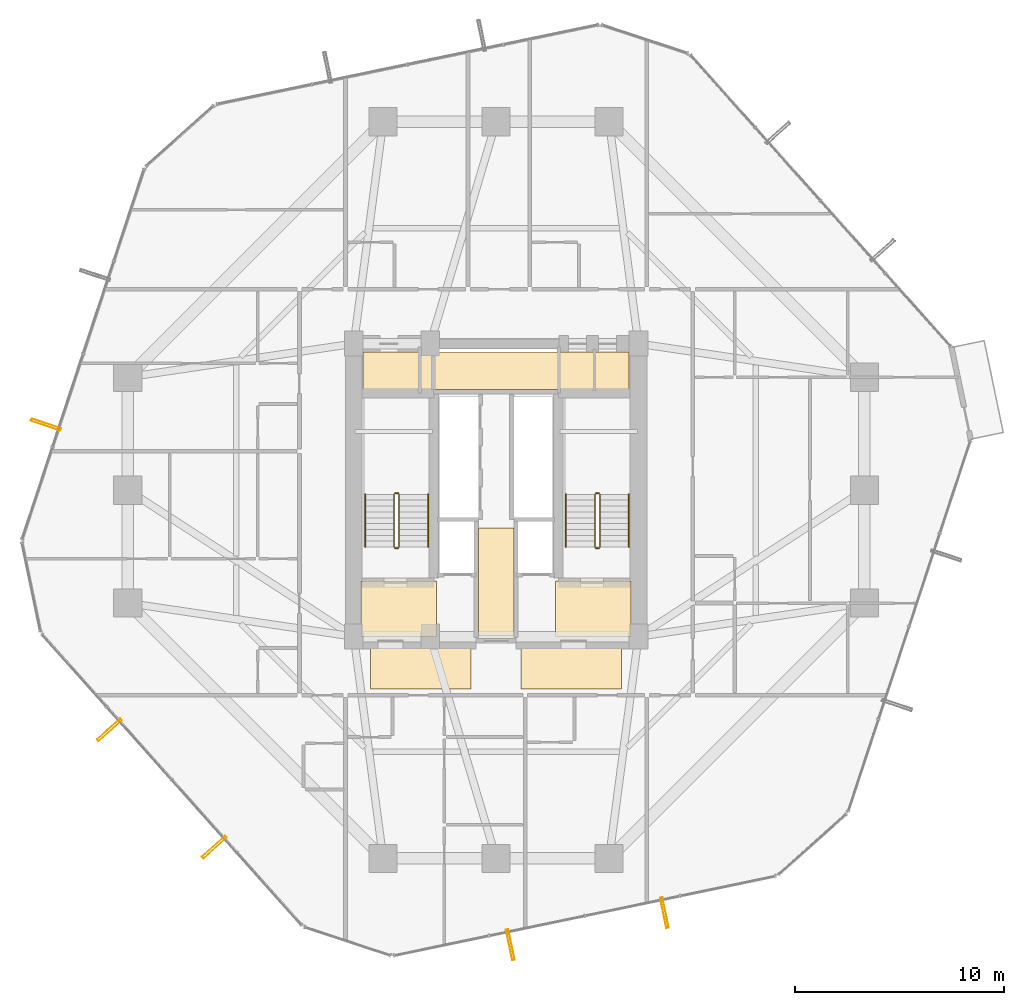
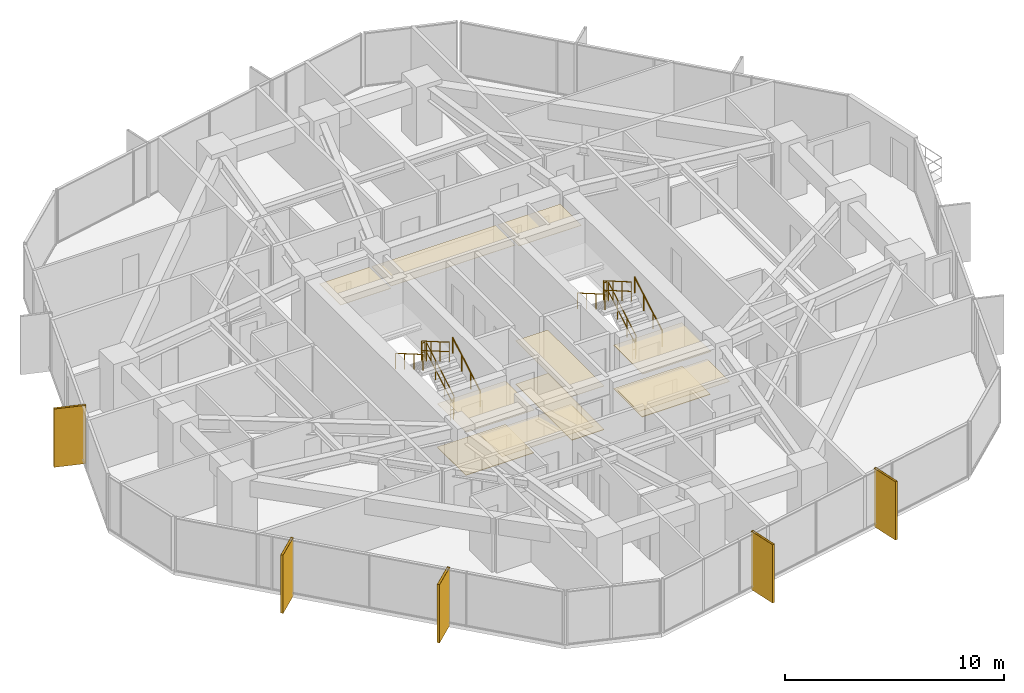
# One storey, part 37 of 38: 12 railings, 11 coverings, 5 shading devices.
"""IFC4 building model written with IfcOpenShell, lengths in metres."""

from ifc_helpers import new_model, si_unit, direction, frame, origin, origin_2d, place, context, subcontext, project, spatial, polyline, hollow_rectangle, circle, outline, extrude, material, layer, layer_set, material_profile, profile_set, type_object, element, save


model = new_model("IFC4")

# Units and contexts
model_context = context("Model", 3, precision=1e-05, world=origin(), true_north=direction((0.0, 1.0)))
body_context = subcontext(model_context, "Body", "Model", "MODEL_VIEW")
ifc_project = project(units=[si_unit("LENGTHUNIT", "METRE"), si_unit("AREAUNIT", "SQUARE_METRE"), si_unit("VOLUMEUNIT", "CUBIC_METRE"), si_unit("PLANEANGLEUNIT", "RADIAN"), si_unit("MASSUNIT", "GRAM", prefix="KILO")], contexts=[model_context])

# Site, building, storey
site_placement = place(None, origin())
site = spatial("IfcSite", under=ifc_project, at=site_placement, CompositionType="ELEMENT")
building_placement = place(site_placement, origin())
building = spatial("IfcBuilding", under=site, at=building_placement, Name="Veraguas Prism Commons", CompositionType="ELEMENT")
storey_placement = place(building_placement, frame((0.0, 0.0, 64.10009765625)))
storey = spatial("IfcBuildingStorey", under=building, at=storey_placement, Name="L17", CompositionType="ELEMENT", Elevation=64.10009765625)

# Shading devices
ifc_material_1 = material(Name="Anodised aluminium EN AW-6063 T6", Category="aluminium")
ifc_material_profile = material_profile(ifc_material_1, hollow_rectangle(XDim=0.1201171875, YDim=1.489990234375, WallThickness=0.006103515625, at=origin_2d()), Name="FIN120X1490X6")
ifc_profile_set = profile_set([ifc_material_profile], Name="Anodised aluminium EN AW-6063 T6")
shading_device_type = type_object("IfcShadingDeviceType", Name="Deep Pale-Metal Vertical Solar Fin 120x1490", PredefinedType="USERDEFINED", material=ifc_profile_set)
for number, where, z_axis, x_axis, name in (
    (1, (2.489013671875, 27.12939453125, -0.22998046875), (0.0, 0.0, 1.0), (-0.312993075045, -0.949755407973, 0.0), "Vertical Pale-Metal Solar Fin L17-F3B"),
    (2, (5.52490234375, 12.54638671875, -0.22998046875), (0.0, 0.0, 1.0), (0.666011867434, -0.745941145424, 0.0), "Vertical Pale-Metal Solar Fin L17-F4A"),
    (3, (10.534423828125, 6.935546875, -0.22998046875), (0.0, 0.0, 1.0), (0.666011867434, -0.745941145424, 0.0), "Vertical Pale-Metal Solar Fin L17-F4B"),
    (4, (24.681640625, 2.273193359375, -0.22998046875), (0.0, 0.0, 1.0), (0.979009559661, 0.203814332402, 0.0), "Vertical Pale-Metal Solar Fin L17-F5A"),
    (5, (32.04541015625, 3.806396484375, -0.22998046875), (0.0, 0.0, 1.0), (0.979009559661, 0.203814332402, 0.0), "Vertical Pale-Metal Solar Fin L17-F5B"),
):
    element("IfcShadingDevice", number, at=place(storey_placement, frame(where, z_axis=z_axis, x_axis=x_axis)), inside=storey, type_object=shading_device_type, Name=name, ObjectType="FIN", PredefinedType="USERDEFINED", context=body_context, shape_type="SweptSolid", body=[
        extrude(hollow_rectangle(XDim=0.1201171875, YDim=1.489990234375, WallThickness=0.006103515625, at=origin_2d()), origin(), (0.0, 0.0, 1.0), 3.25),
    ])

# Coverings
ifc_material_2 = material(Name="Acoustic gypsum board")
ifc_layer_1 = layer(ifc_material_2, 0.02490234375, Name="Perforated Acoustic Ceiling Tile 25")
ifc_layer_set_1 = layer_set([ifc_layer_1], Name="Acoustic gypsum board")
covering_type_1 = type_object("IfcCoveringType", Name="Perforated Acoustic Ceiling Tile 25", PredefinedType="USERDEFINED", material=ifc_layer_set_1)
covering_1_placement = place(storey_placement, frame((0.0, 0.0, 2.4248046875)))
element("IfcCovering", 6, at=covering_1_placement, inside=storey, type_object=covering_type_1, Name="East Lobby Acoustic Ceiling L17", ObjectType="ACOUSTIC CEILING", PredefinedType="USERDEFINED", context=body_context, shape_type="SweptSolid", body=[
    extrude(outline(polyline([(26.85009765625, 17.0), (30.449951171875, 17.0), (30.449951171875, 19.64990234375), (26.85009765625, 19.64990234375), (26.85009765625, 17.0)])), origin(), (0.0, 0.0, 1.0), 0.025146484375),
])
ifc_material_3 = material(Name="Terrazzo stone finish", Category="masonry")
ifc_layer_2 = layer(ifc_material_3, 0.030029296875, Name="Polished Terrazzo Floor Finish 30", Category="masonry")
ifc_layer_set_2 = layer_set([ifc_layer_2], Name="Terrazzo stone finish")
covering_type_2 = type_object("IfcCoveringType", Name="Polished Terrazzo Floor Finish 30", PredefinedType="FLOORING", material=ifc_layer_set_2)
covering_2_placement = place(storey_placement, origin())
element("IfcCovering", 7, at=covering_2_placement, inside=storey, type_object=covering_type_2, Name="Terrazzo Lobby Flooring L17", PredefinedType="FLOORING", context=body_context, shape_type="SweptSolid", body=[
    extrude(outline(polyline([(23.14990234375, 17.050048828125), (24.85009765625, 17.050048828125), (24.85009765625, 22.199951171875), (23.14990234375, 22.199951171875), (23.14990234375, 17.050048828125)])), origin(), (0.0, 0.0, 1.0), 0.02978515625),
])
covering_3_placement = place(storey_placement, origin())
element("IfcCovering", 8, at=covering_3_placement, inside=storey, type_object=covering_type_2, Name="West FF Lobby Terrazzo Flooring L17", PredefinedType="FLOORING", context=body_context, shape_type="SweptSolid", body=[
    extrude(outline(polyline([(17.550048828125, 17.050048828125), (21.14990234375, 17.050048828125), (21.14990234375, 19.64990234375), (17.550048828125, 19.64990234375), (17.550048828125, 17.050048828125)])), origin(), (0.0, 0.0, 1.0), 0.02978515625),
])
covering_4_placement = place(storey_placement, origin())
element("IfcCovering", 9, at=covering_4_placement, inside=storey, type_object=covering_type_2, Name="East FF Lobby Terrazzo Flooring L17", PredefinedType="FLOORING", context=body_context, shape_type="SweptSolid", body=[
    extrude(outline(polyline([(26.85009765625, 17.050048828125), (30.449951171875, 17.050048828125), (30.449951171875, 19.64990234375), (26.85009765625, 19.64990234375), (26.85009765625, 17.050048828125)])), origin(), (0.0, 0.0, 1.0), 0.02978515625),
])

# Railings
ifc_material_4 = material(Name="Stainless steel AISI 316", Category="steel")
railing_type_1 = type_object("IfcRailingType", Name="Stair and Ramp Stainless Handrail 900", PredefinedType="HANDRAIL", material=ifc_material_4)
railing_1_placement = place(storey_placement, frame((20.75, 21.280029296875, 0.162353515625)))
element("IfcRailing", 10, at=railing_1_placement, inside=storey, type_object=railing_type_1, Name="Stair Handrail ST-01 L17-1", PredefinedType="HANDRAIL", context=body_context, shape_type="SweptSolid", body=[
    extrude(circle(Radius=0.02392578125, at=origin_2d()), frame((0.0, 0.0, 0.8759765625), z_axis=(0.0, 0.864876961378, 0.501983905795), x_axis=(-1.0, 0.0, 0.0)), (0.0, 0.0, 1.0), 2.913818359375),
    extrude(circle(Radius=0.02099609375, at=origin_2d()), origin(), (0.0, 0.0, 1.0), 0.851806640625),
    extrude(circle(Radius=0.02099609375, at=origin_2d()), frame((0.0, 0.840087890625, 0.487548828125)), (0.0, 0.0, 1.0), 0.851806640625),
    extrude(circle(Radius=0.02099609375, at=origin_2d()), frame((0.0, 1.679931640625, 0.97509765625)), (0.0, 0.0, 1.0), 0.851806640625),
    extrude(circle(Radius=0.02099609375, at=origin_2d()), frame((0.0, 2.52001953125, 1.462646484375)), (0.0, 0.0, 1.0), 0.851806640625),
])
railing_2_placement = place(storey_placement, frame((17.739990234375, 23.800048828125, 1.787353515625)))
element("IfcRailing", 11, at=railing_2_placement, inside=storey, type_object=railing_type_1, Name="Stair Handrail ST-01 L17-2", PredefinedType="HANDRAIL", context=body_context, shape_type="SweptSolid", body=[
    extrude(circle(Radius=0.02392578125, at=origin_2d()), frame((0.0, 0.0, 0.8759765625), z_axis=(0.0, -0.864876961378, 0.501983905795), x_axis=(1.0, 0.0, 0.0)), (0.0, 0.0, 1.0), 2.913818359375),
    extrude(circle(Radius=0.02099609375, at=origin_2d()), origin(), (0.0, 0.0, 1.0), 0.851806640625),
    extrude(circle(Radius=0.02099609375, at=origin_2d()), frame((0.0, -0.840087890625, 0.487548828125)), (0.0, 0.0, 1.0), 0.851806640625),
    extrude(circle(Radius=0.02099609375, at=origin_2d()), frame((0.0, -1.679931640625, 0.97509765625)), (0.0, 0.0, 1.0), 0.851806640625),
    extrude(circle(Radius=0.02099609375, at=origin_2d()), frame((0.0, -2.52001953125, 1.462646484375)), (0.0, 0.0, 1.0), 0.851806640625),
])
railing_3_placement = place(storey_placement, frame((30.35009765625, 21.280029296875, 0.162353515625)))
element("IfcRailing", 12, at=railing_3_placement, inside=storey, type_object=railing_type_1, Name="Stair Handrail ST-02 L17-1", PredefinedType="HANDRAIL", context=body_context, shape_type="SweptSolid", body=[
    extrude(circle(Radius=0.02392578125, at=origin_2d()), frame((0.0, 0.0, 0.8759765625), z_axis=(0.0, 0.864876961378, 0.501983905795), x_axis=(-1.0, 0.0, 0.0)), (0.0, 0.0, 1.0), 2.913818359375),
    extrude(circle(Radius=0.02099609375, at=origin_2d()), origin(), (0.0, 0.0, 1.0), 0.851806640625),
    extrude(circle(Radius=0.02099609375, at=origin_2d()), frame((0.0, 0.840087890625, 0.487548828125)), (0.0, 0.0, 1.0), 0.851806640625),
    extrude(circle(Radius=0.02099609375, at=origin_2d()), frame((0.0, 1.679931640625, 0.97509765625)), (0.0, 0.0, 1.0), 0.851806640625),
    extrude(circle(Radius=0.02099609375, at=origin_2d()), frame((0.0, 2.52001953125, 1.462646484375)), (0.0, 0.0, 1.0), 0.851806640625),
])
railing_4_placement = place(storey_placement, frame((27.340087890625, 23.800048828125, 1.787353515625)))
element("IfcRailing", 13, at=railing_4_placement, inside=storey, type_object=railing_type_1, Name="Stair Handrail ST-02 L17-2", PredefinedType="HANDRAIL", context=body_context, shape_type="SweptSolid", body=[
    extrude(circle(Radius=0.02392578125, at=origin_2d()), frame((0.0, 0.0, 0.8759765625), z_axis=(0.0, -0.864876961378, 0.501983905795), x_axis=(1.0, 0.0, 0.0)), (0.0, 0.0, 1.0), 2.913818359375),
    extrude(circle(Radius=0.02099609375, at=origin_2d()), origin(), (0.0, 0.0, 1.0), 0.851806640625),
    extrude(circle(Radius=0.02099609375, at=origin_2d()), frame((0.0, -0.840087890625, 0.487548828125)), (0.0, 0.0, 1.0), 0.851806640625),
    extrude(circle(Radius=0.02099609375, at=origin_2d()), frame((0.0, -1.679931640625, 0.97509765625)), (0.0, 0.0, 1.0), 0.851806640625),
    extrude(circle(Radius=0.02099609375, at=origin_2d()), frame((0.0, -2.52001953125, 1.462646484375)), (0.0, 0.0, 1.0), 0.851806640625),
])
railing_type_2 = type_object("IfcRailingType", Name="Stairwell Safety Guardrail 1100", PredefinedType="GUARDRAIL", material=ifc_material_4)
railing_5_placement = place(storey_placement, frame((19.3701171875, 21.280029296875, 0.162353515625)))
element("IfcRailing", 14, at=railing_5_placement, inside=storey, type_object=railing_type_2, Name="Stair Guard ST-01 L17-1", PredefinedType="GUARDRAIL", context=body_context, shape_type="SweptSolid", body=[
    extrude(circle(Radius=0.02392578125, at=origin_2d()), frame((0.0, 0.0, 1.076171875), z_axis=(0.0, 0.864876961378, 0.501983905795), x_axis=(-1.0, 0.0, 0.0)), (0.0, 0.0, 1.0), 2.913818359375),
    extrude(circle(Radius=0.02392578125, at=origin_2d()), frame((0.0, 0.0, 0.550048828125), z_axis=(0.0, 0.864876961378, 0.501983905795), x_axis=(-1.0, 0.0, 0.0)), (0.0, 0.0, 1.0), 2.913818359375),
    extrude(circle(Radius=0.02099609375, at=origin_2d()), origin(), (0.0, 0.0, 1.0), 1.052001953125),
    extrude(circle(Radius=0.02099609375, at=origin_2d()), frame((0.0, 0.840087890625, 0.487548828125)), (0.0, 0.0, 1.0), 1.052001953125),
    extrude(circle(Radius=0.02099609375, at=origin_2d()), frame((0.0, 1.679931640625, 0.97509765625)), (0.0, 0.0, 1.0), 1.052001953125),
    extrude(circle(Radius=0.02099609375, at=origin_2d()), frame((0.0, 2.52001953125, 1.462646484375)), (0.0, 0.0, 1.0), 1.052001953125),
])
railing_6_placement = place(storey_placement, frame((19.320068359375, 23.85009765625, 1.625)))
element("IfcRailing", 15, at=railing_6_placement, inside=storey, type_object=railing_type_2, Name="Stair Guard ST-01 L17-2", PredefinedType="GUARDRAIL", context=body_context, shape_type="SweptSolid", body=[
    extrude(circle(Radius=0.02392578125, at=origin_2d()), frame((0.0, 0.0, 1.076171875), z_axis=(-1.0, 0.0, 0.0), x_axis=(0.0, -1.0, 0.0)), (0.0, 0.0, 1.0), 0.150146484375),
    extrude(circle(Radius=0.02392578125, at=origin_2d()), frame((0.0, 0.0, 0.550048828125), z_axis=(-1.0, 0.0, 0.0), x_axis=(0.0, -1.0, 0.0)), (0.0, 0.0, 1.0), 0.150146484375),
    extrude(circle(Radius=0.02099609375, at=origin_2d()), origin(), (0.0, 0.0, 1.0), 1.052001953125),
    extrude(circle(Radius=0.02099609375, at=origin_2d()), frame((-0.150146484375, 0.0, 0.0)), (0.0, 0.0, 1.0), 1.052001953125),
])
railing_7_placement = place(storey_placement, frame((19.1201171875, 23.800048828125, 1.787353515625)))
element("IfcRailing", 16, at=railing_7_placement, inside=storey, type_object=railing_type_2, Name="Stair Guard ST-01 L17-3", PredefinedType="GUARDRAIL", context=body_context, shape_type="SweptSolid", body=[
    extrude(circle(Radius=0.02392578125, at=origin_2d()), frame((0.0, 0.0, 1.076171875), z_axis=(0.0, -0.864876961378, 0.501983905795), x_axis=(1.0, 0.0, 0.0)), (0.0, 0.0, 1.0), 2.913818359375),
    extrude(circle(Radius=0.02392578125, at=origin_2d()), frame((0.0, 0.0, 0.550048828125), z_axis=(0.0, -0.864876961378, 0.501983905795), x_axis=(1.0, 0.0, 0.0)), (0.0, 0.0, 1.0), 2.913818359375),
    extrude(circle(Radius=0.02099609375, at=origin_2d()), origin(), (0.0, 0.0, 1.0), 1.052001953125),
    extrude(circle(Radius=0.02099609375, at=origin_2d()), frame((0.0, -0.840087890625, 0.487548828125)), (0.0, 0.0, 1.0), 1.052001953125),
    extrude(circle(Radius=0.02099609375, at=origin_2d()), frame((0.0, -1.679931640625, 0.97509765625)), (0.0, 0.0, 1.0), 1.052001953125),
    extrude(circle(Radius=0.02099609375, at=origin_2d()), frame((0.0, -2.52001953125, 1.462646484375)), (0.0, 0.0, 1.0), 1.052001953125),
])
railing_8_placement = place(storey_placement, frame((19.320068359375, 21.22998046875, 0.0)))
element("IfcRailing", 17, at=railing_8_placement, inside=storey, type_object=railing_type_2, Name="Stair Guard ST-01 L17-4", PredefinedType="GUARDRAIL", context=body_context, shape_type="SweptSolid", body=[
    extrude(circle(Radius=0.02392578125, at=origin_2d()), frame((0.0, 0.0, 1.076171875), z_axis=(-1.0, 0.0, 0.0), x_axis=(0.0, -1.0, 0.0)), (0.0, 0.0, 1.0), 0.150146484375),
    extrude(circle(Radius=0.02392578125, at=origin_2d()), frame((0.0, 0.0, 0.550048828125), z_axis=(-1.0, 0.0, 0.0), x_axis=(0.0, -1.0, 0.0)), (0.0, 0.0, 1.0), 0.150146484375),
    extrude(circle(Radius=0.02099609375, at=origin_2d()), origin(), (0.0, 0.0, 1.0), 1.052001953125),
    extrude(circle(Radius=0.02099609375, at=origin_2d()), frame((-0.150146484375, 0.0, 0.0)), (0.0, 0.0, 1.0), 1.052001953125),
])
railing_9_placement = place(storey_placement, frame((28.969970703125, 21.280029296875, 0.162353515625)))
element("IfcRailing", 18, at=railing_9_placement, inside=storey, type_object=railing_type_2, Name="Stair Guard ST-02 L17-1", PredefinedType="GUARDRAIL", context=body_context, shape_type="SweptSolid", body=[
    extrude(circle(Radius=0.02392578125, at=origin_2d()), frame((0.0, 0.0, 1.076171875), z_axis=(0.0, 0.864876961378, 0.501983905795), x_axis=(-1.0, 0.0, 0.0)), (0.0, 0.0, 1.0), 2.913818359375),
    extrude(circle(Radius=0.02392578125, at=origin_2d()), frame((0.0, 0.0, 0.550048828125), z_axis=(0.0, 0.864876961378, 0.501983905795), x_axis=(-1.0, 0.0, 0.0)), (0.0, 0.0, 1.0), 2.913818359375),
    extrude(circle(Radius=0.02099609375, at=origin_2d()), origin(), (0.0, 0.0, 1.0), 1.052001953125),
    extrude(circle(Radius=0.02099609375, at=origin_2d()), frame((0.0, 0.840087890625, 0.487548828125)), (0.0, 0.0, 1.0), 1.052001953125),
    extrude(circle(Radius=0.02099609375, at=origin_2d()), frame((0.0, 1.679931640625, 0.97509765625)), (0.0, 0.0, 1.0), 1.052001953125),
    extrude(circle(Radius=0.02099609375, at=origin_2d()), frame((0.0, 2.52001953125, 1.462646484375)), (0.0, 0.0, 1.0), 1.052001953125),
])
railing_10_placement = place(storey_placement, frame((28.919921875, 23.85009765625, 1.625)))
element("IfcRailing", 19, at=railing_10_placement, inside=storey, type_object=railing_type_2, Name="Stair Guard ST-02 L17-2", PredefinedType="GUARDRAIL", context=body_context, shape_type="SweptSolid", body=[
    extrude(circle(Radius=0.02392578125, at=origin_2d()), frame((0.0, 0.0, 1.076171875), z_axis=(-1.0, 0.0, 0.0), x_axis=(0.0, -1.0, 0.0)), (0.0, 0.0, 1.0), 0.14990234375),
    extrude(circle(Radius=0.02392578125, at=origin_2d()), frame((0.0, 0.0, 0.550048828125), z_axis=(-1.0, 0.0, 0.0), x_axis=(0.0, -1.0, 0.0)), (0.0, 0.0, 1.0), 0.14990234375),
    extrude(circle(Radius=0.02099609375, at=origin_2d()), origin(), (0.0, 0.0, 1.0), 1.052001953125),
    extrude(circle(Radius=0.02099609375, at=origin_2d()), frame((-0.14990234375, 0.0, 0.0)), (0.0, 0.0, 1.0), 1.052001953125),
])
railing_11_placement = place(storey_placement, frame((28.719970703125, 23.800048828125, 1.787353515625)))
element("IfcRailing", 20, at=railing_11_placement, inside=storey, type_object=railing_type_2, Name="Stair Guard ST-02 L17-3", PredefinedType="GUARDRAIL", context=body_context, shape_type="SweptSolid", body=[
    extrude(circle(Radius=0.02392578125, at=origin_2d()), frame((0.0, 0.0, 1.076171875), z_axis=(0.0, -0.864876961378, 0.501983905795), x_axis=(1.0, 0.0, 0.0)), (0.0, 0.0, 1.0), 2.913818359375),
    extrude(circle(Radius=0.02392578125, at=origin_2d()), frame((0.0, 0.0, 0.550048828125), z_axis=(0.0, -0.864876961378, 0.501983905795), x_axis=(1.0, 0.0, 0.0)), (0.0, 0.0, 1.0), 2.913818359375),
    extrude(circle(Radius=0.02099609375, at=origin_2d()), origin(), (0.0, 0.0, 1.0), 1.052001953125),
    extrude(circle(Radius=0.02099609375, at=origin_2d()), frame((0.0, -0.840087890625, 0.487548828125)), (0.0, 0.0, 1.0), 1.052001953125),
    extrude(circle(Radius=0.02099609375, at=origin_2d()), frame((0.0, -1.679931640625, 0.97509765625)), (0.0, 0.0, 1.0), 1.052001953125),
    extrude(circle(Radius=0.02099609375, at=origin_2d()), frame((0.0, -2.52001953125, 1.462646484375)), (0.0, 0.0, 1.0), 1.052001953125),
])
railing_12_placement = place(storey_placement, frame((28.919921875, 21.22998046875, 0.0)))
element("IfcRailing", 21, at=railing_12_placement, inside=storey, type_object=railing_type_2, Name="Stair Guard ST-02 L17-4", PredefinedType="GUARDRAIL", context=body_context, shape_type="SweptSolid", body=[
    extrude(circle(Radius=0.02392578125, at=origin_2d()), frame((0.0, 0.0, 1.076171875), z_axis=(-1.0, 0.0, 0.0), x_axis=(0.0, -1.0, 0.0)), (0.0, 0.0, 1.0), 0.14990234375),
    extrude(circle(Radius=0.02392578125, at=origin_2d()), frame((0.0, 0.0, 0.550048828125), z_axis=(-1.0, 0.0, 0.0), x_axis=(0.0, -1.0, 0.0)), (0.0, 0.0, 1.0), 0.14990234375),
    extrude(circle(Radius=0.02099609375, at=origin_2d()), origin(), (0.0, 0.0, 1.0), 1.052001953125),
    extrude(circle(Radius=0.02099609375, at=origin_2d()), frame((-0.14990234375, 0.0, 0.0)), (0.0, 0.0, 1.0), 1.052001953125),
])

# Coverings
ifc_layer_3 = layer(ifc_material_2, 0.02001953125, Name="Suspended Gypsum Ceiling 20")
ifc_layer_set_3 = layer_set([ifc_layer_3], Name="Acoustic gypsum board")
covering_type_3 = type_object("IfcCoveringType", Name="Suspended Gypsum Ceiling 20", PredefinedType="CEILING", material=ifc_layer_set_3)
covering_5_placement = place(storey_placement, frame((0.0, 0.0, 2.429931640625)))
element("IfcCovering", 22, at=covering_5_placement, inside=storey, type_object=covering_type_3, Name="West Lobby Suspended Gypsum Ceiling L17", PredefinedType="CEILING", context=body_context, shape_type="SweptSolid", body=[
    extrude(outline(polyline([(17.550048828125, 17.0), (21.14990234375, 17.0), (21.14990234375, 19.64990234375), (17.550048828125, 19.64990234375), (17.550048828125, 17.0)])), origin(), (0.0, 0.0, 1.0), 0.02001953125),
])
covering_6_placement = place(storey_placement, frame((0.0, 0.0, 2.429931640625)))
element("IfcCovering", 23, at=covering_6_placement, inside=storey, type_object=covering_type_3, Name="Core Lobby Acoustic Ceiling L17-1", PredefinedType="CEILING", context=body_context, shape_type="SweptSolid", body=[
    extrude(outline(polyline([(18.0, 14.5), (22.800048828125, 14.5), (22.800048828125, 16.550048828125), (18.0, 16.550048828125), (18.0, 14.5)])), origin(), (0.0, 0.0, 1.0), 0.02001953125),
])
covering_7_placement = place(storey_placement, frame((0.0, 0.0, 2.429931640625)))
element("IfcCovering", 24, at=covering_7_placement, inside=storey, type_object=covering_type_3, Name="Core Lobby Acoustic Ceiling L17-2", PredefinedType="CEILING", context=body_context, shape_type="SweptSolid", body=[
    extrude(outline(polyline([(25.199951171875, 14.5), (30.0, 14.5), (30.0, 16.550048828125), (25.199951171875, 16.550048828125), (25.199951171875, 14.5)])), origin(), (0.0, 0.0, 1.0), 0.02001953125),
])
covering_8_placement = place(storey_placement, frame((0.0, 0.0, 2.429931640625)))
element("IfcCovering", 25, at=covering_8_placement, inside=storey, type_object=covering_type_3, Name="Core Lobby Acoustic Ceiling L17-3", PredefinedType="CEILING", context=body_context, shape_type="SweptSolid", body=[
    extrude(outline(polyline([(23.14990234375, 17.050048828125), (24.85009765625, 17.050048828125), (24.85009765625, 22.199951171875), (23.14990234375, 22.199951171875), (23.14990234375, 17.050048828125)])), origin(), (0.0, 0.0, 1.0), 0.02001953125),
])
covering_9_placement = place(storey_placement, frame((0.0, 0.0, 2.429931640625)))
element("IfcCovering", 26, at=covering_9_placement, inside=storey, type_object=covering_type_3, Name="Core Lobby Acoustic Ceiling L17-4", PredefinedType="CEILING", context=body_context, shape_type="SweptSolid", body=[
    extrude(outline(polyline([(17.64990234375, 28.64990234375), (20.300048828125, 28.64990234375), (20.300048828125, 30.60009765625), (17.64990234375, 30.60009765625), (17.64990234375, 28.64990234375)])), origin(), (0.0, 0.0, 1.0), 0.02001953125),
])
covering_10_placement = place(storey_placement, frame((0.0, 0.0, 2.429931640625)))
element("IfcCovering", 27, at=covering_10_placement, inside=storey, type_object=covering_type_3, Name="Core Lobby Acoustic Ceiling L17-5", PredefinedType="CEILING", context=body_context, shape_type="SweptSolid", body=[
    extrude(outline(polyline([(27.050048828125, 28.64990234375), (30.35009765625, 28.64990234375), (30.35009765625, 30.60009765625), (27.050048828125, 30.60009765625), (27.050048828125, 28.64990234375)])), origin(), (0.0, 0.0, 1.0), 0.02001953125),
])
covering_11_placement = place(storey_placement, frame((0.0, 0.0, 2.429931640625)))
element("IfcCovering", 28, at=covering_11_placement, inside=storey, type_object=covering_type_3, Name="Core Lobby Acoustic Ceiling L17-6", PredefinedType="CEILING", context=body_context, shape_type="SweptSolid", body=[
    extrude(outline(polyline([(20.39990234375, 28.800048828125), (26.949951171875, 28.800048828125), (26.949951171875, 30.60009765625), (20.39990234375, 30.60009765625), (20.39990234375, 28.800048828125)])), origin(), (0.0, 0.0, 1.0), 0.02001953125),
])

save(model, "model.ifc")
